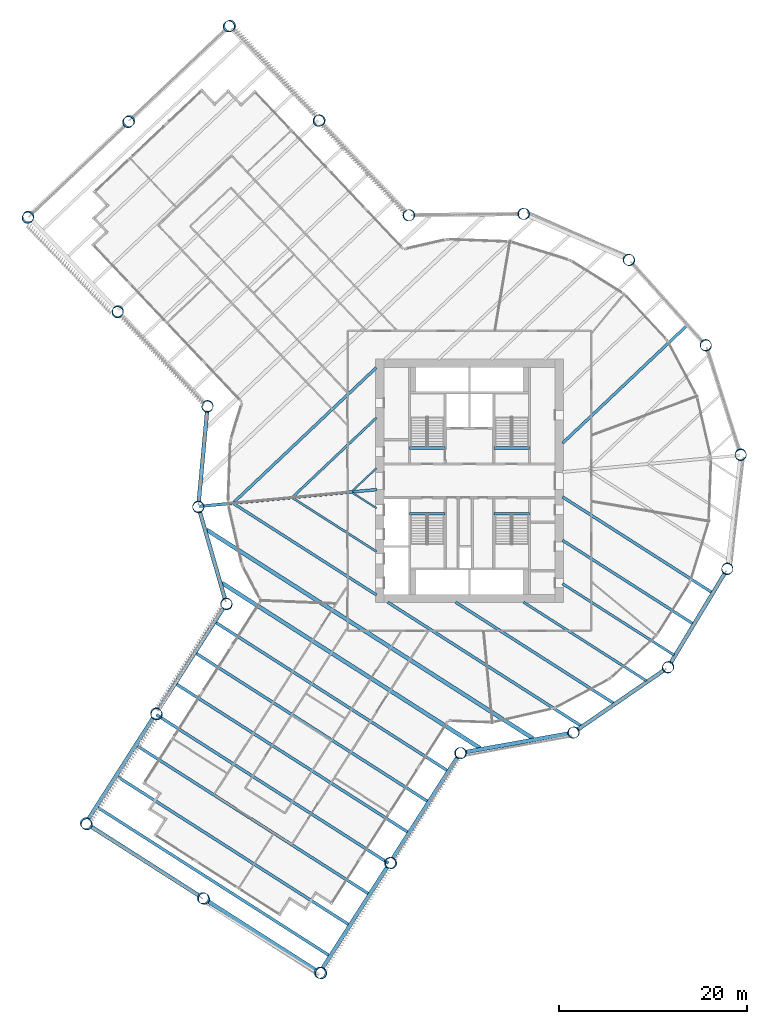
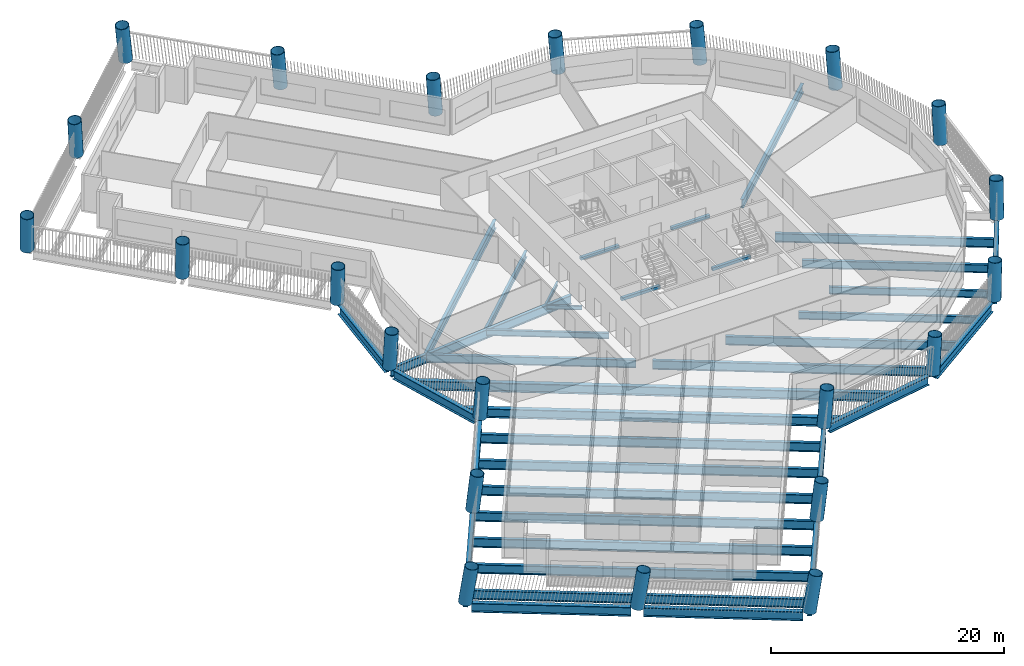
# One storey, part 1 of 15: 38 beams, 22 columns.
"""IFC4 building model written with IfcOpenShell, lengths in metres."""

from ifc_helpers import new_model, si_unit, direction, frame, origin, origin_2d, place, context, subcontext, project, spatial, rectangle, hollow_circle, i_section, extrude, material, material_profile, profile_set, type_object, element, save


model = new_model("IFC4")

# Units and contexts
model_context = context("Model", 3, precision=1e-05, world=origin(), true_north=direction((0.0, 1.0)))
body_context = subcontext(model_context, "Body", "Model", "MODEL_VIEW")
ifc_project = project(units=[si_unit("LENGTHUNIT", "METRE"), si_unit("AREAUNIT", "SQUARE_METRE"), si_unit("VOLUMEUNIT", "CUBIC_METRE"), si_unit("PLANEANGLEUNIT", "RADIAN"), si_unit("MASSUNIT", "GRAM", prefix="KILO")], contexts=[model_context])

# Site, building, storey
site_placement = place(None, origin())
site = spatial("IfcSite", under=ifc_project, at=site_placement, CompositionType="ELEMENT")
building_placement = place(site_placement, origin())
building = spatial("IfcBuilding", under=site, at=building_placement, Name="Tarsis Ring Headquarters", CompositionType="ELEMENT")
storey_placement = place(building_placement, frame((0.0, 0.0, 67.300048828125)))
storey = spatial("IfcBuildingStorey", under=building, at=storey_placement, Name="L14", CompositionType="ELEMENT", Elevation=67.300048828125)

# Columns
ifc_material_1 = material(Name="Structural steel S460", Category="steel")
ifc_material_profile_1 = material_profile(ifc_material_1, hollow_circle(Radius=0.609619140625, WallThickness=0.050048828125, at=origin_2d()), Name="CHS 1219x50")
ifc_profile_set_1 = profile_set([ifc_material_profile_1], Name="Structural steel S460")
column_type = type_object("IfcColumnType", Name="XC Exo column CHS 1219x50", PredefinedType="COLUMN", material=ifc_profile_set_1)
column_1_placement = place(storey_placement, frame((-28.919677734375, -2.733642578125, 0.00048828125), z_axis=(0.007741026276, -0.077410262761, 0.996969271207), x_axis=(0.99503719021, 0.099503719021, 0.0)))
element("IfcColumn", 1, at=column_1_placement, inside=storey, type_object=column_type, Name="Exo column XC1 F1", PredefinedType="COLUMN", context=body_context, shape_type="SweptSolid", body=[
    extrude(hollow_circle(Radius=0.609619140625, WallThickness=0.050048828125, at=origin_2d()), origin(), (0.0, 0.0, 1.0), 3.910888671875),
])
column_2_placement = place(storey_placement, frame((-25.93505859375, -13.083740234375, 0.00048828125), z_axis=(0.035396577696, -0.069232459727, 0.996972391196), x_axis=(0.890376833546, 0.455224224185, 0.0)))
element("IfcColumn", 2, at=column_2_placement, inside=storey, type_object=column_type, Name="Exo column XC1 AK", PredefinedType="COLUMN", context=body_context, shape_type="SweptSolid", body=[
    extrude(hollow_circle(Radius=0.609619140625, WallThickness=0.050048828125, at=origin_2d()), origin(), (0.0, 0.0, 1.0), 3.91064453125),
])
column_3_placement = place(storey_placement, frame((-33.42529296875, -24.795654296875, 0.000732421875), z_axis=(0.066656462523, -0.088875283364, 0.993809891283), x_axis=(0.8, 0.6, 0.0)))
element("IfcColumn", 3, at=column_3_placement, inside=storey, type_object=column_type, Name="Exo column XC1 AI1", PredefinedType="COLUMN", context=body_context, shape_type="SweptSolid", body=[
    extrude(hollow_circle(Radius=0.609619140625, WallThickness=0.050048828125, at=origin_2d()), origin(), (0.0, 0.0, 1.0), 3.922607421875),
])
column_4_placement = place(storey_placement, frame((-40.915283203125, -36.5078125, 0.0009765625), z_axis=(0.097533002752, -0.108190992887, 0.989334130834), x_axis=(0.742743933731, 0.669575573707, 0.0)))
element("IfcColumn", 4, at=column_4_placement, inside=storey, type_object=column_type, Name="Exo column XC1 AT1", PredefinedType="COLUMN", context=body_context, shape_type="SweptSolid", body=[
    extrude(hollow_circle(Radius=0.609619140625, WallThickness=0.050048828125, at=origin_2d()), origin(), (0.0, 0.0, 1.0), 3.93994140625),
])
column_5_placement = place(storey_placement, frame((-28.447021484375, -44.4814453125, 0.0009765625), z_axis=(0.118691962392, -0.075035148639, 0.990091886914), x_axis=(0.534358479235, 0.845257958063, 0.0)))
element("IfcColumn", 5, at=column_5_placement, inside=storey, type_object=column_type, Name="Exo column XC1 AT2", PredefinedType="COLUMN", context=body_context, shape_type="SweptSolid", body=[
    extrude(hollow_circle(Radius=0.609619140625, WallThickness=0.050048828125, at=origin_2d()), origin(), (0.0, 0.0, 1.0), 3.93701171875),
])
column_6_placement = place(storey_placement, frame((-15.978759765625, -52.455322265625, 0.0009765625), z_axis=(0.139606488175, -0.041702248798, 0.989328535374), x_axis=(0.286216195279, 0.958165063838, 0.0)))
element("IfcColumn", 6, at=column_6_placement, inside=storey, type_object=column_type, Name="Exo column XC1 AT3", PredefinedType="COLUMN", context=body_context, shape_type="SweptSolid", body=[
    extrude(hollow_circle(Radius=0.609619140625, WallThickness=0.050048828125, at=origin_2d()), origin(), (0.0, 0.0, 1.0), 3.93994140625),
])
column_7_placement = place(storey_placement, frame((-8.488525390625, -40.743408203125, 0.000732421875), z_axis=(0.108792302722, -0.022094546605, 0.993818930127), x_axis=(0.199026272784, 0.979994154443, 0.0)))
element("IfcColumn", 7, at=column_7_placement, inside=storey, type_object=column_type, Name="Exo column XC1 AO1", PredefinedType="COLUMN", context=body_context, shape_type="SweptSolid", body=[
    extrude(hollow_circle(Radius=0.609619140625, WallThickness=0.050048828125, at=origin_2d()), origin(), (0.0, 0.0, 1.0), 3.922607421875),
])
column_8_placement = place(storey_placement, frame((-0.99853515625, -29.03125, 0.00048828125), z_axis=(0.077722640513, -0.002309829477, 0.996972344571), x_axis=(0.029705760162, 0.999558686528, 0.0)))
element("IfcColumn", 8, at=column_8_placement, inside=storey, type_object=column_type, Name="Exo column XC1 AJ", PredefinedType="COLUMN", context=body_context, shape_type="SweptSolid", body=[
    extrude(hollow_circle(Radius=0.609619140625, WallThickness=0.050048828125, at=origin_2d()), origin(), (0.0, 0.0, 1.0), 3.91064453125),
])
column_9_placement = place(storey_placement, frame((11.056640625, -26.862060546875, 0.00048828125), z_axis=(0.07179178658, 0.029965267442, 0.996969418852), x_axis=(-0.3851851118, 0.922839330354, 0.0)))
element("IfcColumn", 9, at=column_9_placement, inside=storey, type_object=column_type, Name="Exo column XC1 R1", PredefinedType="COLUMN", context=body_context, shape_type="SweptSolid", body=[
    extrude(hollow_circle(Radius=0.609619140625, WallThickness=0.050048828125, at=origin_2d()), origin(), (0.0, 0.0, 1.0), 3.910888671875),
])
for number, where, z_axis, x_axis, name in (
    (10, (21.14599609375, -19.91650390625, 0.00048828125), (0.053001291729, 0.056871821867, 0.996973650079), (-0.731562445214, 0.681774441258, 0.0), "Exo column XC1 R2"),
    (11, (27.475341796875, -9.4296875, 0.00048828125), (0.0248463024, 0.073664916663, 0.996973490776), (-0.947553087487, 0.319598414254, 0.0), "Exo column XC1 R3"),
):
    element("IfcColumn", number, at=place(storey_placement, frame(where, z_axis=z_axis, x_axis=x_axis)), inside=storey, type_object=column_type, Name=name, PredefinedType="COLUMN", context=body_context, shape_type="SweptSolid", body=[
        extrude(hollow_circle(Radius=0.609619140625, WallThickness=0.050048828125, at=origin_2d()), origin(), (0.0, 0.0, 1.0), 3.91064453125),
    ])
column_10_placement = place(storey_placement, frame((28.919677734375, 2.733642578125, 0.00048828125), z_axis=(-0.007741026276, 0.077410262761, 0.996969271207), x_axis=(-0.99503719021, -0.099503719021, 0.0)))
element("IfcColumn", 12, at=column_10_placement, inside=storey, type_object=column_type, Name="Exo column XC1 R4", PredefinedType="COLUMN", context=body_context, shape_type="SweptSolid", body=[
    extrude(hollow_circle(Radius=0.609619140625, WallThickness=0.050048828125, at=origin_2d()), origin(), (0.0, 0.0, 1.0), 3.910888671875),
])
for number, where, z_axis, x_axis, name in (
    (13, (25.2216796875, 14.4111328125, 0.00048828125), (-0.038892623673, 0.067297348827, 0.996974638928), (-0.865810949009, -0.500371262739, 0.0), "Exo column XC1 R5"),
    (14, (17.039306640625, 23.526123046875, 0.00048828125), (-0.063177157641, 0.045260315503, 0.996975501501), (-0.582377411582, -0.812918538649, 0.0), "Exo column XC1 R6"),
):
    element("IfcColumn", number, at=place(storey_placement, frame(where, z_axis=z_axis, x_axis=x_axis)), inside=storey, type_object=column_type, Name=name, PredefinedType="COLUMN", context=body_context, shape_type="SweptSolid", body=[
        extrude(hollow_circle(Radius=0.609619140625, WallThickness=0.050048828125, at=origin_2d()), origin(), (0.0, 0.0, 1.0), 3.91064453125),
    ])
column_11_placement = place(storey_placement, frame((5.827392578125, 28.4580078125, 0.00048828125), z_axis=(-0.076286660982, 0.015169933403, 0.996970520365), x_axis=(-0.195035572117, -0.980796169247, 0.0)))
element("IfcColumn", 15, at=column_11_placement, inside=storey, type_object=column_type, Name="Exo column XC1 R7", PredefinedType="COLUMN", context=body_context, shape_type="SweptSolid", body=[
    extrude(hollow_circle(Radius=0.609619140625, WallThickness=0.050048828125, at=origin_2d()), origin(), (0.0, 0.0, 1.0), 3.910888671875),
])
column_12_placement = place(storey_placement, frame((-6.4208984375, 28.330078125, 0.00048828125), z_axis=(-0.075725024081, -0.017604663472, 0.996973317874), x_axis=(0.226442630056, -0.974024504462, 0.0)))
element("IfcColumn", 16, at=column_12_placement, inside=storey, type_object=column_type, Name="Exo column XC1 BJ", PredefinedType="COLUMN", context=body_context, shape_type="SweptSolid", body=[
    extrude(hollow_circle(Radius=0.609619140625, WallThickness=0.050048828125, at=origin_2d()), origin(), (0.0, 0.0, 1.0), 3.91064453125),
])
column_13_placement = place(storey_placement, frame((-15.972900390625, 38.430908203125, 0.000732421875), z_axis=(-0.102319245602, -0.043130922872, 0.993816127597), x_axis=(0.388432838626, -0.921477037086, 0.0)))
element("IfcColumn", 17, at=column_13_placement, inside=storey, type_object=column_type, Name="Exo column XC1 BO1", PredefinedType="COLUMN", context=body_context, shape_type="SweptSolid", body=[
    extrude(hollow_circle(Radius=0.609619140625, WallThickness=0.050048828125, at=origin_2d()), origin(), (0.0, 0.0, 1.0), 3.922607421875),
])
column_14_placement = place(storey_placement, frame((-25.525146484375, 48.531982421875, 0.0009765625), z_axis=(-0.128516393553, -0.068471849024, 0.989340761558), x_axis=(0.470212723385, -0.882553111584, 0.0)))
element("IfcColumn", 18, at=column_14_placement, inside=storey, type_object=column_type, Name="Exo column XC1 BT3", PredefinedType="COLUMN", context=body_context, shape_type="SweptSolid", body=[
    extrude(hollow_circle(Radius=0.609619140625, WallThickness=0.050048828125, at=origin_2d()), origin(), (0.0, 0.0, 1.0), 3.93994140625),
])
column_15_placement = place(storey_placement, frame((-36.2783203125, 38.363037109375, 0.0009765625), z_axis=(-0.101514812836, -0.096987884714, 0.990094991904), x_axis=(0.690801332691, -0.723044617401, 0.0)))
element("IfcColumn", 19, at=column_15_placement, inside=storey, type_object=column_type, Name="Exo column XC1 BT2", PredefinedType="COLUMN", context=body_context, shape_type="SweptSolid", body=[
    extrude(hollow_circle(Radius=0.609619140625, WallThickness=0.050048828125, at=origin_2d()), origin(), (0.0, 0.0, 1.0), 3.93701171875),
])
column_16_placement = place(storey_placement, frame((-47.031494140625, 28.194091796875, 0.0009765625), z_axis=(-0.074296092389, -0.125293326781, 0.989333954193), x_axis=(0.860146389812, -0.510047241041, 0.0)))
element("IfcColumn", 20, at=column_16_placement, inside=storey, type_object=column_type, Name="Exo column XC1 BT1", PredefinedType="COLUMN", context=body_context, shape_type="SweptSolid", body=[
    extrude(hollow_circle(Radius=0.609619140625, WallThickness=0.050048828125, at=origin_2d()), origin(), (0.0, 0.0, 1.0), 3.93994140625),
])
column_17_placement = place(storey_placement, frame((-37.4794921875, 18.09326171875, 0.000732421875), z_axis=(-0.0477364759, -0.100265270762, 0.993814924595), x_axis=(0.902891595252, -0.429868313816, 0.0)))
element("IfcColumn", 21, at=column_17_placement, inside=storey, type_object=column_type, Name="Exo column XC1 BI1", PredefinedType="COLUMN", context=body_context, shape_type="SweptSolid", body=[
    extrude(hollow_circle(Radius=0.609619140625, WallThickness=0.050048828125, at=origin_2d()), origin(), (0.0, 0.0, 1.0), 3.922607421875),
])
column_18_placement = place(storey_placement, frame((-27.927490234375, 7.9921875, 0.00048828125), z_axis=(-0.020975785429, -0.074851091455, 0.996974087193), x_axis=(0.962905612214, -0.269838436784, 0.0)))
element("IfcColumn", 22, at=column_18_placement, inside=storey, type_object=column_type, Name="Exo column XC1 BK", PredefinedType="COLUMN", context=body_context, shape_type="SweptSolid", body=[
    extrude(hollow_circle(Radius=0.609619140625, WallThickness=0.050048828125, at=origin_2d()), origin(), (0.0, 0.0, 1.0), 3.91064453125),
])

# Beams
ifc_material_2 = material(Name="Structural steel S355", Category="steel")
ifc_material_profile_2 = material_profile(ifc_material_2, i_section(OverallWidth=0.177734375, OverallDepth=0.406494140625, WebThickness=0.0078125, FlangeThickness=0.0126953125, at=origin_2d()), Name="W16x40")
ifc_profile_set_2 = profile_set([ifc_material_profile_2], Name="Structural steel S355")
beam_type_1 = type_object("IfcBeamType", Name="FB Floor beam W16x40", PredefinedType="JOIST", material=ifc_profile_set_2)
beam_1_placement = place(storey_placement, frame((-12.4853515625, -1.27392578125, -0.36328125), z_axis=(0.842453062334, -0.538769744662, 0.0), x_axis=(0.538769744662, 0.842453062334, 0.0)))
element("IfcBeam", 23, at=beam_1_placement, inside=storey, type_object=beam_type_1, Name="Floor beam FB1", PredefinedType="JOIST", context=body_context, shape_type="SweptSolid", body=[
    extrude(i_section(OverallWidth=0.177734375, OverallDepth=0.406494140625, WebThickness=0.0078125, FlangeThickness=0.0126953125, at=origin_2d()), origin(), (0.0, 0.0, 1.0), 3.050048828125),
])
beam_2_placement = place(storey_placement, frame((-9.92724609375, 1.347412109375, -0.36328125), z_axis=(-0.726596642704, -0.687064275604, 0.0), x_axis=(0.687064275604, -0.726596642704, 0.0)))
element("IfcBeam", 24, at=beam_2_placement, inside=storey, type_object=beam_type_1, Name="Floor beam FB1", PredefinedType="JOIST", context=body_context, shape_type="SweptSolid", body=[
    extrude(i_section(OverallWidth=0.177734375, OverallDepth=0.406494140625, WebThickness=0.0078125, FlangeThickness=0.0126953125, at=origin_2d()), origin(), (0.0, 0.0, 1.0), 3.544921875),
])
ifc_material_profile_3 = material_profile(ifc_material_2, i_section(OverallWidth=0.228271484375, OverallDepth=0.607177734375, WebThickness=0.01123046875, FlangeThickness=0.017333984375, at=origin_2d()), Name="W24x76")
ifc_profile_set_3 = profile_set([ifc_material_profile_3], Name="Structural steel S355")
beam_type_2 = type_object("IfcBeamType", Name="FB Floor beam W24x76", PredefinedType="JOIST", material=ifc_profile_set_3)
beam_3_placement = place(storey_placement, frame((-18.791748046875, -1.8701171875, -0.463623046875), z_axis=(0.842448526501, -0.538776837102, 0.0), x_axis=(0.538776837102, 0.842448526501, 0.0)))
element("IfcBeam", 25, at=beam_3_placement, inside=storey, type_object=beam_type_2, Name="Floor beam FB4", PredefinedType="JOIST", context=body_context, shape_type="SweptSolid", body=[
    extrude(i_section(OverallWidth=0.228271484375, OverallDepth=0.607177734375, WebThickness=0.01123046875, FlangeThickness=0.017333984375, at=origin_2d()), origin(), (0.0, 0.0, 1.0), 10.535888671875),
])
ifc_material_profile_4 = material_profile(ifc_material_2, i_section(OverallWidth=0.2529296875, OverallDepth=0.67822265625, WebThickness=0.01171875, FlangeThickness=0.016357421875, at=origin_2d()), Name="W27x84")
ifc_profile_set_4 = profile_set([ifc_material_profile_4], Name="Structural steel S355")
beam_type_3 = type_object("IfcBeamType", Name="FB Floor beam W27x84", PredefinedType="JOIST", material=ifc_profile_set_4)
beam_4_placement = place(storey_placement, frame((-9.92724609375, 6.715087890625, -0.499267578125), z_axis=(-0.72657269158, -0.687089603945, 0.0), x_axis=(0.687089603945, -0.72657269158, 0.0)))
element("IfcBeam", 26, at=beam_4_placement, inside=storey, type_object=beam_type_3, Name="Floor beam FB5", PredefinedType="JOIST", context=body_context, shape_type="SweptSolid", body=[
    extrude(i_section(OverallWidth=0.2529296875, OverallDepth=0.67822265625, WebThickness=0.01171875, FlangeThickness=0.016357421875, at=origin_2d()), origin(), (0.0, 0.0, 1.0), 12.224609375),
])
ifc_material_profile_5 = material_profile(ifc_material_2, i_section(OverallWidth=0.2666015625, OverallDepth=0.7568359375, WebThickness=0.013916015625, FlangeThickness=0.019287109375, at=origin_2d()), Name="W30x108")
ifc_profile_set_5 = profile_set([ifc_material_profile_5], Name="Structural steel S355")
beam_type_4 = type_object("IfcBeamType", Name="FB Floor beam W30x108", PredefinedType="JOIST", material=ifc_profile_set_5)
beam_5_placement = place(storey_placement, frame((9.915771484375, -10.970703125, -0.53857421875), z_axis=(0.84245272554, -0.538770271295, 0.0), x_axis=(0.538770271295, 0.84245272554, 0.0)))
element("IfcBeam", 27, at=beam_5_placement, inside=storey, type_object=beam_type_4, Name="Floor beam FB6", PredefinedType="JOIST", context=body_context, shape_type="SweptSolid", body=[
    extrude(i_section(OverallWidth=0.2666015625, OverallDepth=0.7568359375, WebThickness=0.013916015625, FlangeThickness=0.019287109375, at=origin_2d()), origin(), (0.0, 0.0, 1.0), 14.1298828125),
])
beam_6_placement = place(storey_placement, frame((5.765869140625, -12.946044921875, -0.53857421875), z_axis=(0.842454806857, -0.538767016811, 0.0), x_axis=(0.538767016811, 0.842454806857, 0.0)))
element("IfcBeam", 28, at=beam_6_placement, inside=storey, type_object=beam_type_4, Name="Floor beam FB6", PredefinedType="JOIST", context=body_context, shape_type="SweptSolid", body=[
    extrude(i_section(OverallWidth=0.2666015625, OverallDepth=0.7568359375, WebThickness=0.013916015625, FlangeThickness=0.019287109375, at=origin_2d()), origin(), (0.0, 0.0, 1.0), 15.564697265625),
])
ifc_material_profile_6 = material_profile(ifc_material_2, i_section(OverallWidth=0.2919921875, OverallDepth=0.835693359375, WebThickness=0.013916015625, FlangeThickness=0.018798828125, at=origin_2d()), Name="W33x118")
ifc_profile_set_6 = profile_set([ifc_material_profile_6], Name="Structural steel S355")
beam_type_5 = type_object("IfcBeamType", Name="FB Floor beam W33x118", PredefinedType="JOIST", material=ifc_profile_set_6)
beam_7_placement = place(storey_placement, frame((9.915771484375, -6.34130859375, -0.577880859375), z_axis=(0.842449806182, -0.538774836145, 0.0), x_axis=(0.538774836145, 0.842449806182, 0.0)))
element("IfcBeam", 29, at=beam_7_placement, inside=storey, type_object=beam_type_5, Name="Floor beam FB7", PredefinedType="JOIST", context=body_context, shape_type="SweptSolid", body=[
    extrude(i_section(OverallWidth=0.2919921875, OverallDepth=0.835693359375, WebThickness=0.013916015625, FlangeThickness=0.018798828125, at=origin_2d()), origin(), (0.0, 0.0, 1.0), 16.52294921875),
])
beam_8_placement = place(storey_placement, frame((-25.098388671875, -2.46630859375, -0.577880859375), z_axis=(0.842451691203, -0.538771888641, 0.0), x_axis=(0.538771888641, 0.842451691203, 0.0)))
element("IfcBeam", 30, at=beam_8_placement, inside=storey, type_object=beam_type_5, Name="Floor beam FB7", PredefinedType="JOIST", context=body_context, shape_type="SweptSolid", body=[
    extrude(i_section(OverallWidth=0.2919921875, OverallDepth=0.835693359375, WebThickness=0.013916015625, FlangeThickness=0.018798828125, at=origin_2d()), origin(), (0.0, 0.0, 1.0), 18.02197265625),
])
ifc_material_profile_7 = material_profile(ifc_material_2, i_section(OverallWidth=0.3046875, OverallDepth=0.904296875, WebThickness=0.01513671875, FlangeThickness=0.02001953125, at=origin_2d()), Name="W36x135")
ifc_profile_set_7 = profile_set([ifc_material_profile_7], Name="Structural steel S355")
beam_type_6 = type_object("IfcBeamType", Name="FB Floor beam W36x135", PredefinedType="JOIST", material=ifc_profile_set_7)
beam_9_placement = place(storey_placement, frame((9.915771484375, -1.712158203125, -0.612060546875), z_axis=(0.842453483683, -0.538769085816, 0.0), x_axis=(0.538769085816, 0.842453483683, 0.0)))
element("IfcBeam", 31, at=beam_9_placement, inside=storey, type_object=beam_type_6, Name="Floor beam FB8", PredefinedType="JOIST", context=body_context, shape_type="SweptSolid", body=[
    extrude(i_section(OverallWidth=0.3046875, OverallDepth=0.904296875, WebThickness=0.01513671875, FlangeThickness=0.02001953125, at=origin_2d()), origin(), (0.0, 0.0, 1.0), 18.91552734375),
])
beam_10_placement = place(storey_placement, frame((-1.472900390625, -12.946044921875, -0.612060546875), z_axis=(0.842451641802, -0.538771965887, 0.0), x_axis=(0.538771965887, 0.842451641802, 0.0)))
element("IfcBeam", 32, at=beam_10_placement, inside=storey, type_object=beam_type_6, Name="Floor beam FB8", PredefinedType="JOIST", context=body_context, shape_type="SweptSolid", body=[
    extrude(i_section(OverallWidth=0.3046875, OverallDepth=0.904296875, WebThickness=0.01513671875, FlangeThickness=0.02001953125, at=origin_2d()), origin(), (0.0, 0.0, 1.0), 20.01904296875),
])
beam_11_placement = place(storey_placement, frame((23.1630859375, 16.53662109375, -0.612060546875), z_axis=(-0.72657889442, -0.687083044605, 0.0), x_axis=(0.687083044605, -0.72657889442, 0.0)))
element("IfcBeam", 33, at=beam_11_placement, inside=storey, type_object=beam_type_6, Name="Floor beam FB8", PredefinedType="JOIST", context=body_context, shape_type="SweptSolid", body=[
    extrude(i_section(OverallWidth=0.3046875, OverallDepth=0.904296875, WebThickness=0.01513671875, FlangeThickness=0.02001953125, at=origin_2d()), origin(), (0.0, 0.0, 1.0), 18.216552734375),
])
beam_12_placement = place(storey_placement, frame((-9.92724609375, 12.082763671875, -0.612060546875), z_axis=(-0.72657997383, -0.687081903145, 0.0), x_axis=(0.687081903145, -0.72657997383, 0.0)))
element("IfcBeam", 34, at=beam_12_placement, inside=storey, type_object=beam_type_6, Name="Floor beam FB8", PredefinedType="JOIST", context=body_context, shape_type="SweptSolid", body=[
    extrude(i_section(OverallWidth=0.3046875, OverallDepth=0.904296875, WebThickness=0.01513671875, FlangeThickness=0.02001953125, at=origin_2d()), origin(), (0.0, 0.0, 1.0), 20.904296875),
])
ifc_material_profile_8 = material_profile(ifc_material_2, i_section(OverallWidth=0.309814453125, OverallDepth=0.93212890625, WebThickness=0.02099609375, FlangeThickness=0.034423828125, at=origin_2d()), Name="W36x210")
ifc_profile_set_8 = profile_set([ifc_material_profile_8], Name="Structural steel S355")
beam_type_7 = type_object("IfcBeamType", Name="FB Floor beam W36x210", PredefinedType="JOIST", material=ifc_profile_set_8)
beam_13_placement = place(storey_placement, frame((-8.71142578125, -12.946044921875, -0.626220703125), z_axis=(0.842449628845, -0.538775113437, 0.0), x_axis=(0.538775113437, 0.842449628845, 0.0)))
element("IfcBeam", 35, at=beam_13_placement, inside=storey, type_object=beam_type_7, Name="Floor beam FB10", PredefinedType="JOIST", context=body_context, shape_type="SweptSolid", body=[
    extrude(i_section(OverallWidth=0.309814453125, OverallDepth=0.93212890625, WebThickness=0.02099609375, FlangeThickness=0.034423828125, at=origin_2d()), origin(), (0.0, 0.0, 1.0), 24.47314453125),
])
ifc_material_profile_9 = material_profile(ifc_material_2, i_section(OverallWidth=0.309814453125, OverallDepth=0.949951171875, WebThickness=0.0244140625, FlangeThickness=0.0439453125, at=origin_2d()), Name="W36x256")
ifc_profile_set_9 = profile_set([ifc_material_profile_9], Name="Structural steel S355")
beam_type_8 = type_object("IfcBeamType", Name="FB Floor beam W36x256", PredefinedType="JOIST", material=ifc_profile_set_9)
for number, where, z_axis, x_axis, name in (
    (36, (-27.082275390625, -15.08544921875, -0.635009765625), (0.842452023672, -0.538771368775, 0.0), (0.538771368775, 0.842452023672, 0.0), "Floor beam FB11"),
    (37, (-29.18359375, -18.37109375, -0.635009765625), (0.842452023672, -0.538771368775, 0.0), (0.538771368775, 0.842452023672, 0.0), "Floor beam FB11"),
):
    element("IfcBeam", number, at=place(storey_placement, frame(where, z_axis=z_axis, x_axis=x_axis)), inside=storey, type_object=beam_type_8, Name=name, PredefinedType="JOIST", context=body_context, shape_type="SweptSolid", body=[
        extrude(i_section(OverallWidth=0.309814453125, OverallDepth=0.949951171875, WebThickness=0.0244140625, FlangeThickness=0.0439453125, at=origin_2d()), origin(), (0.0, 0.0, 1.0), 29.3759765625),
    ])
beam_14_placement = place(storey_placement, frame((-31.28466796875, -21.65673828125, -0.635009765625), z_axis=(0.84245338347, -0.538769242515, 0.0), x_axis=(0.538769242515, 0.84245338347, 0.0)))
element("IfcBeam", 38, at=beam_14_placement, inside=storey, type_object=beam_type_8, Name="Floor beam FB11", PredefinedType="JOIST", context=body_context, shape_type="SweptSolid", body=[
    extrude(i_section(OverallWidth=0.309814453125, OverallDepth=0.949951171875, WebThickness=0.0244140625, FlangeThickness=0.0439453125, at=origin_2d()), origin(), (0.0, 0.0, 1.0), 29.37548828125),
])
beam_15_placement = place(storey_placement, frame((-33.385986328125, -24.942138671875, -0.635009765625), z_axis=(0.842452023672, -0.538771368775, 0.0), x_axis=(0.538771368775, 0.842452023672, 0.0)))
element("IfcBeam", 39, at=beam_15_placement, inside=storey, type_object=beam_type_8, Name="Floor beam FB11", PredefinedType="JOIST", context=body_context, shape_type="SweptSolid", body=[
    extrude(i_section(OverallWidth=0.309814453125, OverallDepth=0.949951171875, WebThickness=0.0244140625, FlangeThickness=0.0439453125, at=origin_2d()), origin(), (0.0, 0.0, 1.0), 29.3759765625),
])
for number, where, z_axis, x_axis, name in (
    (40, (-35.487060546875, -28.227783203125, -0.635009765625), (0.8424496112, -0.538775141027, 0.0), (0.538775141027, 0.8424496112, 0.0), "Floor beam FB11"),
    (41, (-37.58837890625, -31.513427734375, -0.635009765625), (0.842455795899, -0.538765470271, 0.0), (0.538765470271, 0.842455795899, 0.0), "Floor beam FB11"),
    (42, (-39.689453125, -34.798828125, -0.635009765625), (0.8424496112, -0.538775141027, 0.0), (0.538775141027, 0.8424496112, 0.0), "Floor beam FB11"),
):
    element("IfcBeam", number, at=place(storey_placement, frame(where, z_axis=z_axis, x_axis=x_axis)), inside=storey, type_object=beam_type_8, Name=name, PredefinedType="JOIST", context=body_context, shape_type="SweptSolid", body=[
        extrude(i_section(OverallWidth=0.309814453125, OverallDepth=0.949951171875, WebThickness=0.0244140625, FlangeThickness=0.0439453125, at=origin_2d()), origin(), (0.0, 0.0, 1.0), 29.375732421875),
    ])
beam_type_9 = type_object("IfcBeamType", Name="FB Floor beam W36x256 spine", PredefinedType="BEAM", material=ifc_profile_set_9)
beam_16_placement = place(storey_placement, frame((-9.900390625, -0.935791015625, -0.635009765625), z_axis=(-0.995561109234, -0.094117361741, 0.0), x_axis=(0.094117361741, -0.995561109234, 0.0)))
element("IfcBeam", 43, at=beam_16_placement, inside=storey, type_object=beam_type_9, Name="Floor beam SB11", PredefinedType="BEAM", context=body_context, shape_type="SweptSolid", body=[
    extrude(i_section(OverallWidth=0.309814453125, OverallDepth=0.949951171875, WebThickness=0.0244140625, FlangeThickness=0.0439453125, at=origin_2d()), origin(), (0.0, 0.0, 1.0), 18.988037109375),
])
ifc_material_profile_10 = material_profile(ifc_material_2, i_section(OverallWidth=0.42431640625, OverallDepth=0.947509765625, WebThickness=0.02392578125, FlangeThickness=0.042724609375, at=origin_2d()), Name="W36x302")
ifc_profile_set_10 = profile_set([ifc_material_profile_10], Name="Structural steel S355")
beam_type_10 = type_object("IfcBeamType", Name="FB Floor beam W36x302", PredefinedType="JOIST", material=ifc_profile_set_10)
beam_17_placement = place(storey_placement, frame((-28.054931640625, -5.204833984375, -0.6337890625), z_axis=(0.842452126929, -0.538771207317, 0.0), x_axis=(0.538771207317, 0.842452126929, 0.0)))
element("IfcBeam", 44, at=beam_17_placement, inside=storey, type_object=beam_type_10, Name="Floor beam FB12", PredefinedType="JOIST", context=body_context, shape_type="SweptSolid", body=[
    extrude(i_section(OverallWidth=0.42431640625, OverallDepth=0.947509765625, WebThickness=0.02392578125, FlangeThickness=0.042724609375, at=origin_2d()), origin(), (0.0, 0.0, 1.0), 41.35302734375),
])
beam_18_placement = place(storey_placement, frame((-26.418212890625, -10.880859375, -0.6337890625), z_axis=(0.84245071805, -0.538773410311, 0.0), x_axis=(0.538773410311, 0.84245071805, 0.0)))
element("IfcBeam", 45, at=beam_18_placement, inside=storey, type_object=beam_type_10, Name="Floor beam FB12", PredefinedType="JOIST", context=body_context, shape_type="SweptSolid", body=[
    extrude(i_section(OverallWidth=0.42431640625, OverallDepth=0.947509765625, WebThickness=0.02392578125, FlangeThickness=0.042724609375, at=origin_2d()), origin(), (0.0, 0.0, 1.0), 32.70458984375),
])
ifc_material_3 = material(Name="Concrete C40/50", Category="concrete")
ifc_material_profile_11 = material_profile(ifc_material_3, rectangle(XDim=0.300048828125, YDim=0.300048828125, at=origin_2d()), Name="Stair head beam 300x300 C40/50")
ifc_profile_set_11 = profile_set([ifc_material_profile_11], Name="Concrete C40/50")
beam_type_11 = type_object("IfcBeamType", Name="Stair head beam 300x300 C40/50", PredefinedType="BEAM", material=ifc_profile_set_11)
for number, where, z_axis, x_axis, name in (
    (46, (-6.39990234375, 3.510009765625, -0.31005859375), (1.0, 0.0, 0.0), (0.0, 1.0, 0.0), "Stair head beam L14 Firefighting stair"),
    (47, (2.60009765625, 3.510009765625, -0.31005859375), (1.0, 0.0, 0.0), (0.0, 1.0, 0.0), "Stair head beam L14 Exit stair B"),
    (48, (-6.39990234375, -3.510009765625, -0.31005859375), (1.0, 0.0, 0.0), (0.0, 1.0, 0.0), "Stair head beam L14 Exit stair C"),
    (49, (2.60009765625, -3.510009765625, -0.31005859375), (1.0, 0.0, 0.0), (0.0, 1.0, 0.0), "Stair head beam L14 Exit stair D"),
):
    element("IfcBeam", number, at=place(storey_placement, frame(where, z_axis=z_axis, x_axis=x_axis)), inside=storey, type_object=beam_type_11, Name=name, PredefinedType="BEAM", context=body_context, shape_type="SweptSolid", body=[
        extrude(rectangle(XDim=0.300048828125, YDim=0.300048828125, at=origin_2d()), origin(), (0.0, 0.0, 1.0), 3.7998046875),
    ])
beam_type_12 = type_object("IfcBeamType", Name="XG Ring girder W36x302", PredefinedType="BEAM", material=ifc_profile_set_10)
beam_19_placement = place(storey_placement, frame((-28.767578125, -3.260986328125, -0.4736328125), z_axis=(0.277063428874, -0.960851630784, 0.0), x_axis=(0.960851630784, 0.277063428874, 0.0)))
element("IfcBeam", 50, at=beam_19_placement, inside=storey, type_object=beam_type_12, Name="Ring girder XG1", PredefinedType="BEAM", context=body_context, shape_type="SweptSolid", body=[
    extrude(i_section(OverallWidth=0.42431640625, OverallDepth=0.947509765625, WebThickness=0.02392578125, FlangeThickness=0.042724609375, at=origin_2d()), origin(), (0.0, 0.0, 1.0), 9.67431640625),
])
for number, where, z_axis, x_axis, name in (
    (51, (-26.230712890625, -13.5458984375, -0.4736328125), (-0.538769081255, -0.8424534866, 0.0), (0.8424534866, -0.538769081255, 0.0), "Ring girder XG1"),
    (52, (-33.720947265625, -25.2578125, -0.4736328125), (-0.538769081255, -0.8424534866, 0.0), (0.8424534866, -0.538769081255, 0.0), "Ring girder XG1"),
):
    element("IfcBeam", number, at=place(storey_placement, frame(where, z_axis=z_axis, x_axis=x_axis)), inside=storey, type_object=beam_type_12, Name=name, PredefinedType="BEAM", context=body_context, shape_type="SweptSolid", body=[
        extrude(i_section(OverallWidth=0.42431640625, OverallDepth=0.947509765625, WebThickness=0.02392578125, FlangeThickness=0.042724609375, at=origin_2d()), origin(), (0.0, 0.0, 1.0), 12.804931640625),
    ])
for number, where, z_axis, x_axis, name in (
    (53, (-40.453125, -36.80322265625, -0.4736328125), (0.842455466496, -0.538765985351, 0.0), (0.538765985351, 0.842455466496, 0.0), "Ring girder XG1"),
    (54, (-27.98486328125, -44.777099609375, -0.4736328125), (0.842455466496, -0.538765985351, 0.0), (0.538765985351, 0.842455466496, 0.0), "Ring girder XG1"),
):
    element("IfcBeam", number, at=place(storey_placement, frame(where, z_axis=z_axis, x_axis=x_axis)), inside=storey, type_object=beam_type_12, Name=name, PredefinedType="BEAM", context=body_context, shape_type="SweptSolid", body=[
        extrude(i_section(OverallWidth=0.42431640625, OverallDepth=0.947509765625, WebThickness=0.02392578125, FlangeThickness=0.042724609375, at=origin_2d()), origin(), (0.0, 0.0, 1.0), 13.70263671875),
    ])
beam_20_placement = place(storey_placement, frame((-15.68310546875, -51.9931640625, -0.4736328125), z_axis=(0.538769081255, 0.8424534866, 0.0), x_axis=(-0.8424534866, 0.538769081255, 0.0)))
element("IfcBeam", 55, at=beam_20_placement, inside=storey, type_object=beam_type_12, Name="Ring girder XG1", PredefinedType="BEAM", context=body_context, shape_type="SweptSolid", body=[
    extrude(i_section(OverallWidth=0.42431640625, OverallDepth=0.947509765625, WebThickness=0.02392578125, FlangeThickness=0.042724609375, at=origin_2d()), origin(), (0.0, 0.0, 1.0), 12.804931640625),
])
beam_21_placement = place(storey_placement, frame((-8.193115234375, -40.281005859375, -0.4736328125), z_axis=(0.538777735225, 0.842447952117, 0.0), x_axis=(-0.842447952117, 0.538777735225, 0.0)))
element("IfcBeam", 56, at=beam_21_placement, inside=storey, type_object=beam_type_12, Name="Ring girder XG1", PredefinedType="BEAM", context=body_context, shape_type="SweptSolid", body=[
    extrude(i_section(OverallWidth=0.42431640625, OverallDepth=0.947509765625, WebThickness=0.02392578125, FlangeThickness=0.042724609375, at=origin_2d()), origin(), (0.0, 0.0, 1.0), 12.8046875),
])
beam_22_placement = place(storey_placement, frame((-0.45849609375, -28.93408203125, -0.4736328125), z_axis=(0.984193704872, 0.177095316962, 0.0), x_axis=(-0.177095316962, 0.984193704872, 0.0)))
element("IfcBeam", 57, at=beam_22_placement, inside=storey, type_object=beam_type_12, Name="Ring girder XG1", PredefinedType="BEAM", context=body_context, shape_type="SweptSolid", body=[
    extrude(i_section(OverallWidth=0.42431640625, OverallDepth=0.947509765625, WebThickness=0.02392578125, FlangeThickness=0.042724609375, at=origin_2d()), origin(), (0.0, 0.0, 1.0), 11.1513671875),
])
for number, where, z_axis, x_axis, name in (
    (58, (11.508544921875, -26.55078125, -0.4736328125), (0.82369938463, 0.567026739898, 0.0), (-0.567026739898, 0.82369938463, 0.0), "Ring girder XG1"),
    (59, (21.429443359375, -19.44677734375, -0.4736328125), (0.516738015474, 0.856143576373, 0.0), (-0.856143576373, 0.516738015474, 0.0), "Ring girder XG1"),
):
    element("IfcBeam", number, at=place(storey_placement, frame(where, z_axis=z_axis, x_axis=x_axis)), inside=storey, type_object=beam_type_12, Name=name, PredefinedType="BEAM", context=body_context, shape_type="SweptSolid", body=[
        extrude(i_section(OverallWidth=0.42431640625, OverallDepth=0.947509765625, WebThickness=0.02392578125, FlangeThickness=0.042724609375, at=origin_2d()), origin(), (0.0, 0.0, 1.0), 11.151611328125),
    ])
beam_23_placement = place(storey_placement, frame((-27.97802734375, 7.44580078125, -0.4736328125), z_axis=(-0.092110172829, -0.995748821773, 0.0), x_axis=(0.995748821773, -0.092110172829, 0.0)))
element("IfcBeam", 60, at=beam_23_placement, inside=storey, type_object=beam_type_12, Name="Ring girder XG1", PredefinedType="BEAM", context=body_context, shape_type="SweptSolid", body=[
    extrude(i_section(OverallWidth=0.42431640625, OverallDepth=0.947509765625, WebThickness=0.02392578125, FlangeThickness=0.042724609375, at=origin_2d()), origin(), (0.0, 0.0, 1.0), 9.67431640625),
])

save(model, "model.ifc")
